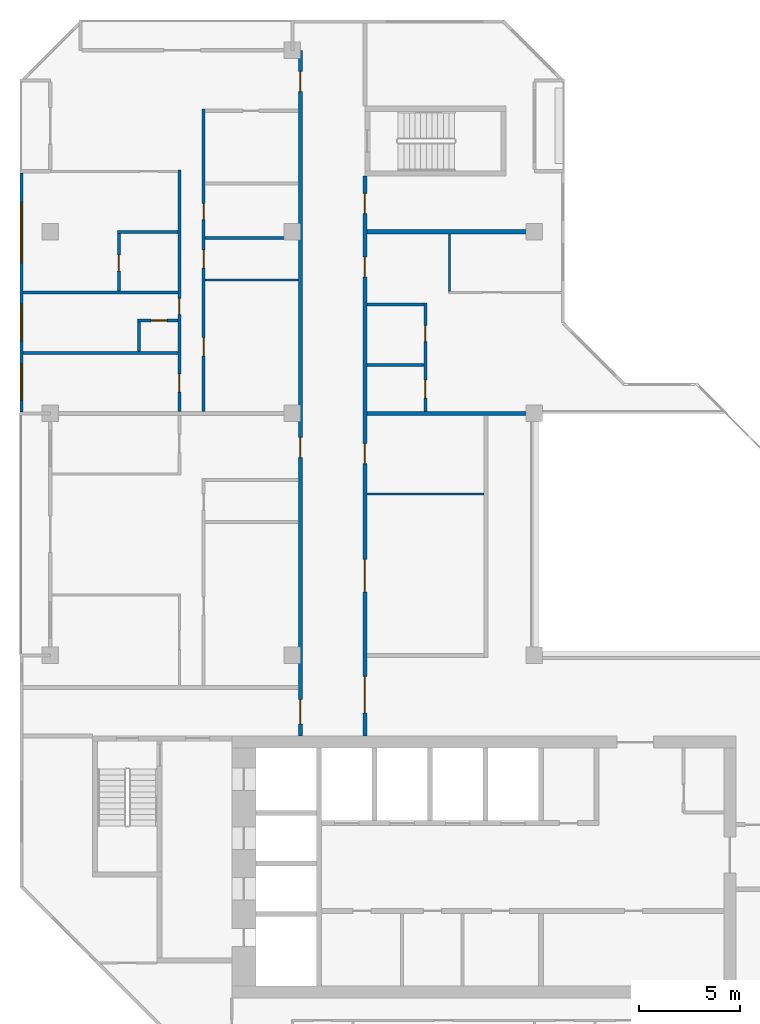
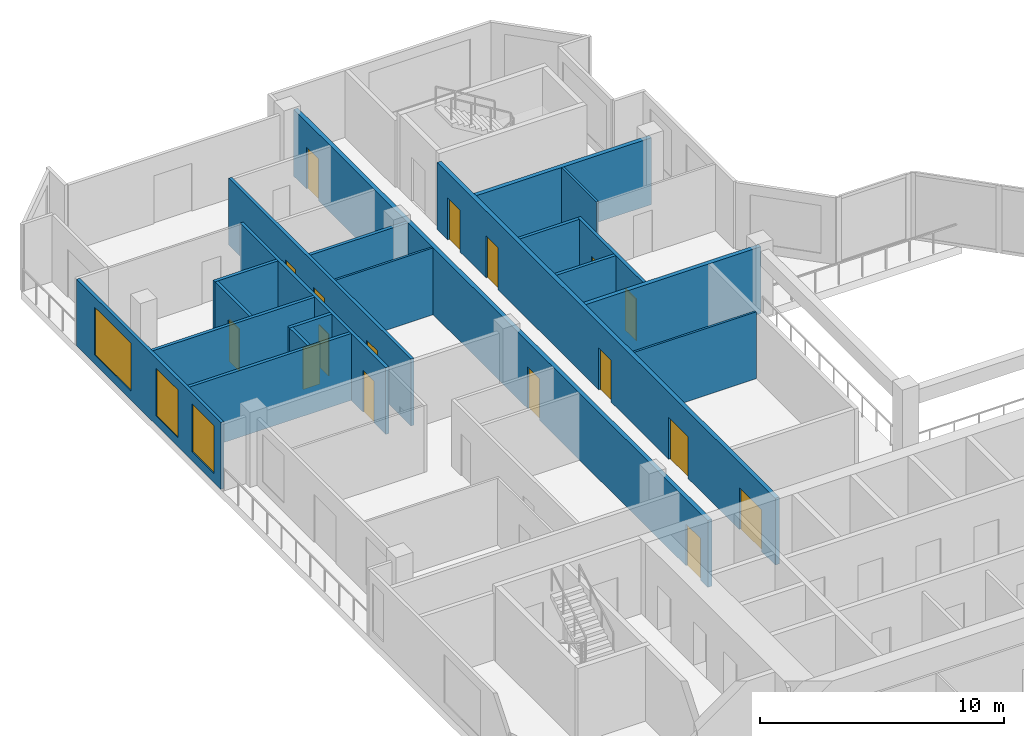
# One storey, part 9 of 13: 20 walls, 17 doors, 3 windows, 20 openings.
"""IFC4 building model written with IfcOpenShell, lengths in metres."""

import ifcopenshell
import ifcopenshell.guid

model = None  # the IFC model being written
_history = None  # IfcOwnerHistory: only IFC2X3 demands one
_inside = {}  # id of a spatial element -> (the spatial element, [elements in it])
_under = {}  # id of a project, library or spatial element -> (it, [spatial elements below it])
_declared = {}  # id of a project -> (the project, [libraries it declares])
_typed = {}  # id of a type object -> (the type object, [elements of that type])
_made_of = {}  # id of a material, layer set ... -> (it, [elements and type objects made of it])


def new_model(schema):
    """Start an empty IFC model of exactly this schema.

    Asked for "IFC4X3", IfcOpenShell would pick the latest addendum, in which some entities
    have other attributes; the version numbers below select the first issue.
    IFC2X3 requires an IfcOwnerHistory on every rooted entity: one is made here for all.
    """
    global model, _history
    if schema == "IFC4X3":
        model = ifcopenshell.file(schema_version=(4, 3, 0, 0))
    else:
        model = ifcopenshell.file(schema=schema)
    _inside.clear()
    _under.clear()
    _declared.clear()
    _typed.clear()
    _made_of.clear()
    _history = None
    if model.schema == "IFC2X3":
        org = make("IfcOrganization", Name="unknown")
        user = make(
            "IfcPersonAndOrganization",
            ThePerson=make("IfcPerson", FamilyName="unknown"),
            TheOrganization=org,
        )
        app = make(
            "IfcApplication",
            ApplicationDeveloper=org,
            Version="unknown",
            ApplicationFullName="unknown",
            ApplicationIdentifier="unknown",
        )
        _history = make(
            "IfcOwnerHistory",
            OwningUser=user,
            OwningApplication=app,
            ChangeAction="ADDED",
            CreationDate=0,
        )
    return model


def make(cls, **values):
    """One entity of the class cls with the attributes given. An attribute that is None is left unset."""
    return model.create_entity(
        cls, **{name: value for name, value in values.items() if value is not None}
    )


def rooted(cls, **values):
    """An entity with a GlobalId (a new one), such as an element, a storey or a relation."""
    return make(cls, GlobalId=ifcopenshell.guid.new(), OwnerHistory=_history, **values)


def si_unit(unit_type, name, prefix=None):
    """IfcSIUnit, for example si_unit("LENGTHUNIT", "METRE", prefix="MILLI")."""
    return make("IfcSIUnit", UnitType=unit_type, Prefix=prefix, Name=name)


def assignment(units):
    """IfcUnitAssignment: the units of a project."""
    return None if units is None else make("IfcUnitAssignment", Units=units)


def point(xyz):
    """IfcCartesianPoint."""
    return None if xyz is None else make("IfcCartesianPoint", Coordinates=xyz)


def direction(xyz):
    """IfcDirection."""
    return None if xyz is None else make("IfcDirection", DirectionRatios=xyz)


def frame(location, z_axis=None, x_axis=None):
    """IfcAxis2Placement3D, a coordinate frame: its origin and axes. An axis left out is left unset."""
    return make(
        "IfcAxis2Placement3D",
        Location=point(location),
        Axis=direction(z_axis),
        RefDirection=direction(x_axis),
    )


def frame_2d(location, x_axis=None):
    """IfcAxis2Placement2D, a coordinate frame in the plane: its origin and x axis."""
    return make(
        "IfcAxis2Placement2D", Location=point(location), RefDirection=direction(x_axis)
    )


def origin():
    """The frame at (0, 0, 0) with its axes left unset."""
    return frame((0.0, 0.0, 0.0))


def place(relative_to, where):
    """IfcLocalPlacement: puts the frame where relative to a parent placement (None: the world)."""
    return make(
        "IfcLocalPlacement", PlacementRelTo=relative_to, RelativePlacement=where
    )


def context(
    kind, dimensions, precision=None, world=None, true_north=None, identifier=None
):
    """IfcGeometricRepresentationContext, for example the 3D "Model" context."""
    return make(
        "IfcGeometricRepresentationContext",
        ContextIdentifier=identifier,
        ContextType=kind,
        CoordinateSpaceDimension=dimensions,
        Precision=precision,
        WorldCoordinateSystem=world,
        TrueNorth=true_north,
    )


def subcontext(parent, identifier, kind, view, scale=None):
    """IfcGeometricRepresentationSubContext, for example "Body" below "Model"."""
    return make(
        "IfcGeometricRepresentationSubContext",
        ContextIdentifier=identifier,
        ContextType=kind,
        ParentContext=parent,
        TargetScale=scale,
        TargetView=view,
    )


def project(units=None, contexts=None):
    """IfcProject with its units and contexts."""
    return rooted(
        "IfcProject",
        Name="project",
        RepresentationContexts=contexts,
        UnitsInContext=assignment(units),
    )


def spatial(cls, under=None, at=None, **own):
    """A site, building, storey or space (cls), placed at a placement, below another one or the project."""
    s = rooted(cls, ObjectPlacement=at, **own)
    if under is not None:
        _under.setdefault(under.id(), (under, []))[1].append(s)
    return s


def profile(cls, at=None, kind="AREA", **sizes):
    """A parametric profile (cls). Its sizes go by their IFC names, for example OverallWidth=200.0."""
    return make(cls, ProfileType=kind, Position=at, **sizes)


def rectangle(**sizes):
    """IfcRectangleProfileDef."""
    return profile("IfcRectangleProfileDef", **sizes)


def extrude(swept, where, along, depth):
    """IfcExtrudedAreaSolid: the profile swept, set in the frame where, extruded along a direction by depth."""
    return make(
        "IfcExtrudedAreaSolid",
        SweptArea=swept,
        Position=where,
        ExtrudedDirection=direction(along),
        Depth=depth,
    )


def shape(context_of_items, identifier, shape_type, items):
    """IfcShapeRepresentation: the items that make up one representation, for example the "Body"."""
    return make(
        "IfcShapeRepresentation",
        ContextOfItems=context_of_items,
        RepresentationIdentifier=identifier,
        RepresentationType=shape_type,
        Items=items,
    )


def material(Name=None, Category=None):
    """IfcMaterial."""
    return make("IfcMaterial", Name=Name, Category=Category)


def layer(
    of_material, thickness, ventilated=None, Name=None, Category=None, Priority=None
):
    """IfcMaterialLayer: one layer of a wall or slab, of a material (None: an air gap)."""
    return make(
        "IfcMaterialLayer",
        Material=of_material,
        LayerThickness=thickness,
        IsVentilated=ventilated,
        Name=Name,
        Category=Category,
        Priority=Priority,
    )


def layer_set(layers, Name=None):
    """IfcMaterialLayerSet."""
    return make("IfcMaterialLayerSet", MaterialLayers=layers, LayerSetName=Name)


def made_of(thing, what):
    """Note that an element or type object is made of a material, layer set ...; save() writes the relation."""
    if what is not None:
        _made_of.setdefault(what.id(), (what, []))[1].append(thing)
    return thing


def type_object(cls, material=None, **own):
    """A type object (cls), such as IfcWallType, which elements share."""
    return made_of(rooted(cls, **own), material)


def element(
    cls,
    number,
    at=None,
    inside=None,
    cuts=None,
    type_object=None,
    material=None,
    context=None,
    identifier="Body",
    shape_type=None,
    held_by="IfcProductDefinitionShape",
    body=None,
    shapes=None,
    **own,
):
    """One element of the class cls, such as IfcWall. Its Tag is "e" and its number.

    at: its placement. inside: the storey or other place that contains it. cuts: it is an
    opening in that element (IfcRelVoidsElement). A single representation is given by context,
    identifier, shape_type and body (its items); several are given by shapes. held_by: the class
    of the entity that holds the representations. save() writes the other relations.
    """
    e = rooted(cls, Tag="e%d" % number, ObjectPlacement=at, **own)
    if body is not None:
        shapes = [shape(context, identifier, shape_type, body)]
    if shapes is not None:
        e.Representation = make(held_by, Representations=shapes)
    if inside is not None:
        _inside.setdefault(inside.id(), (inside, []))[1].append(e)
    if cuts is not None:
        rooted(
            "IfcRelVoidsElement", RelatingBuildingElement=cuts, RelatedOpeningElement=e
        )
    if type_object is not None:
        _typed.setdefault(type_object.id(), (type_object, []))[1].append(e)
    return made_of(e, material)


def fill(opening, filler):
    """IfcRelFillsElement: the door or window that sits in an opening."""
    return rooted(
        "IfcRelFillsElement",
        RelatingOpeningElement=opening,
        RelatedBuildingElement=filler,
    )


def aggregate(whole, parts):
    """IfcRelAggregates: a whole, such as a stair, and the parts it consists of."""
    return rooted("IfcRelAggregates", RelatingObject=whole, RelatedObjects=parts)


def save(model, path):
    """Write the relations noted so far, then the file.

    IfcRelAggregates (storeys below a building ...), IfcRelContainedInSpatialStructure (elements
    in a storey), IfcRelDefinesByType, IfcRelAssociatesMaterial and IfcRelDeclares: one each for
    every whole, place, type object, material and project.
    """
    for whole, parts in _under.values():
        aggregate(whole, parts)
    for where, things in _inside.values():
        rooted(
            "IfcRelContainedInSpatialStructure",
            RelatedElements=things,
            RelatingStructure=where,
        )
    for kind, things in _typed.values():
        rooted("IfcRelDefinesByType", RelatedObjects=things, RelatingType=kind)
    for what, things in _made_of.values():
        rooted("IfcRelAssociatesMaterial", RelatedObjects=things, RelatingMaterial=what)
    for by, libraries in _declared.values():
        rooted("IfcRelDeclares", RelatingContext=by, RelatedDefinitions=libraries)
    model.write(path)


model = new_model("IFC4")

# Units and contexts
model_context = context("Model", 3, precision=1e-05, world=origin(), true_north=direction((0.0, 1.0)))
body_context = subcontext(model_context, "Body", "Model", "MODEL_VIEW")
ifc_project = project(units=[si_unit("LENGTHUNIT", "METRE"), si_unit("AREAUNIT", "SQUARE_METRE"), si_unit("VOLUMEUNIT", "CUBIC_METRE"), si_unit("PLANEANGLEUNIT", "RADIAN"), si_unit("MASSUNIT", "GRAM", prefix="KILO")], contexts=[model_context])

# Site, building, storey
site_placement = place(None, origin())
site = spatial("IfcSite", under=ifc_project, at=site_placement, CompositionType="ELEMENT")
building_placement = place(site_placement, origin())
building = spatial("IfcBuilding", under=site, at=building_placement, Name="Chenar Terraces", CompositionType="ELEMENT")
storey_placement = place(building_placement, frame((0.0, 0.0, 292.14990234375)))
storey = spatial("IfcBuildingStorey", under=building, at=storey_placement, Name="L68", CompositionType="ELEMENT", Elevation=292.14990234375)

# Wall, openings, doors
ifc_material_1 = material(Name="Gypsum board on steel studs with fire boards", Category="steel")
ifc_layer_1 = layer(ifc_material_1, 0.199951171875)
ifc_layer_set_1 = layer_set([ifc_layer_1], Name="Gypsum board on steel studs with fire boards")
wall_type_1 = type_object("IfcWallType", Name="Corridor wall 200", PredefinedType="PARTITIONING", material=ifc_layer_set_1)
wall_1_placement = place(storey_placement, frame((12.39990234375, 20.0, 0.0), z_axis=(0.0, 0.0, 1.0), x_axis=(0.0, 1.0, 0.0)))
wall_1 = element("IfcWall", 1, at=wall_1_placement, inside=storey, type_object=wall_type_1, Name="Partition L68-029", PredefinedType="PARTITIONING", context=body_context, shape_type="SweptSolid", body=[
    extrude(rectangle(XDim=34.0, YDim=0.199951171875, at=frame_2d((17.0, 0.0))), origin(), (0.0, 0.0, 1.0), 3.35009765625),
])
opening_1_placement = place(wall_1_placement, frame((31.949951171875, 0.0, 0.0)))
opening_1 = element("IfcOpeningElement", 2, at=opening_1_placement, cuts=wall_1, Name="Opening DL68-26", PredefinedType="OPENING", context=body_context, shape_type="SweptSolid", body=[
    extrude(rectangle(XDim=1.0, YDim=2.10009765625, at=frame_2d((0.5, 1.050048828125))), frame((0.0, 0.10986328125, 0.0), z_axis=(0.0, -1.0, 0.0), x_axis=(1.0, 0.0, 0.0)), (0.0, 0.0, 1.0), 0.219970703125),
])
opening_2_placement = place(wall_1_placement, frame((0.60009765625, 0.0, 0.0)))
opening_2 = element("IfcOpeningElement", 3, at=opening_2_placement, cuts=wall_1, Name="Opening DL68-32", PredefinedType="OPENING", context=body_context, shape_type="SweptSolid", body=[
    extrude(rectangle(XDim=1.199951171875, YDim=2.10009765625, at=frame_2d((0.60009765625, 1.050048828125))), frame((0.0, 0.10986328125, 0.0), z_axis=(0.0, -1.0, 0.0), x_axis=(1.0, 0.0, 0.0)), (0.0, 0.0, 1.0), 0.219970703125),
])
opening_3_placement = place(wall_1_placement, frame((13.800048828125, 0.0, 0.0)))
opening_3 = element("IfcOpeningElement", 4, at=opening_3_placement, cuts=wall_1, Name="Opening DL68-52", PredefinedType="OPENING", context=body_context, shape_type="SweptSolid", body=[
    extrude(rectangle(XDim=1.0, YDim=2.10009765625, at=frame_2d((0.5, 1.050048828125))), frame((0.0, 0.10986328125, 0.0), z_axis=(0.0, -1.0, 0.0), x_axis=(1.0, 0.0, 0.0)), (0.0, 0.0, 1.0), 0.219970703125),
])
ifc_material_2 = material(Name="Steel-framed fire-resisting door leaf", Category="steel")
door_type_1 = type_object("IfcDoorType", Name="Fire door FD30S 1000 x 2100", OperationType="SINGLE_SWING_LEFT", PredefinedType="DOOR", material=ifc_material_2)
door_1_placement = place(opening_1_placement, origin())
door_1 = element("IfcDoor", 5, at=door_1_placement, inside=storey, type_object=door_type_1, Name="Door DL68-26", OperationType="SINGLE_SWING_RIGHT", OverallHeight=2.10009765625, OverallWidth=1.0, PredefinedType="DOOR", context=body_context, shape_type="SweptSolid", body=[
    extrude(rectangle(XDim=1.0, YDim=2.10009765625, at=frame_2d((0.5, 1.050048828125))), frame((0.0, 0.02490234375, 0.0), z_axis=(0.0, -1.0, 0.0), x_axis=(1.0, 0.0, 0.0)), (0.0, 0.0, 1.0), 0.050048828125),
])
fill(opening_1, door_1)
door_2_placement = place(opening_3_placement, origin())
door_2 = element("IfcDoor", 6, at=door_2_placement, inside=storey, type_object=door_type_1, Name="Door DL68-52", OperationType="SINGLE_SWING_RIGHT", OverallHeight=2.10009765625, OverallWidth=1.0, PredefinedType="DOOR", context=body_context, shape_type="SweptSolid", body=[
    extrude(rectangle(XDim=1.0, YDim=2.10009765625, at=frame_2d((0.5, 1.050048828125))), frame((0.0, 0.02490234375, 0.0), z_axis=(0.0, -1.0, 0.0), x_axis=(1.0, 0.0, 0.0)), (0.0, 0.0, 1.0), 0.050048828125),
])
fill(opening_3, door_2)
ifc_material_3 = material(Name="Steel-framed fire-resisting door leaf", Category="steel")
door_type_2 = type_object("IfcDoorType", Name="Fire door FD30S 1200 x 2100", OperationType="SINGLE_SWING_LEFT", PredefinedType="DOOR", material=ifc_material_3)
door_3_placement = place(opening_2_placement, origin())
door_3 = element("IfcDoor", 7, at=door_3_placement, inside=storey, type_object=door_type_2, Name="Door DL68-32", OperationType="SINGLE_SWING_RIGHT", OverallHeight=2.10009765625, OverallWidth=1.199951171875, PredefinedType="DOOR", context=body_context, shape_type="SweptSolid", body=[
    extrude(rectangle(XDim=1.199951171875, YDim=2.10009765625, at=frame_2d((0.60009765625, 1.050048828125))), frame((0.0, 0.02490234375, 0.0), z_axis=(0.0, -1.0, 0.0), x_axis=(1.0, 0.0, 0.0)), (0.0, 0.0, 1.0), 0.050048828125),
])
fill(opening_2, door_3)

wall_2_placement = place(storey_placement, frame((15.60009765625, 20.0, 0.0), z_axis=(0.0, 0.0, 1.0), x_axis=(0.0, 1.0, 0.0)))
wall_2 = element("IfcWall", 8, at=wall_2_placement, inside=storey, type_object=wall_type_1, Name="Partition L68-031", PredefinedType="PARTITIONING", context=body_context, shape_type="SweptSolid", body=[
    extrude(rectangle(XDim=27.77490234375, YDim=0.199951171875, at=frame_2d((13.887451171875, 0.0))), origin(), (0.0, 0.0, 1.0), 3.35009765625),
])
opening_4_placement = place(wall_2_placement, frame((7.14990234375, 0.0, 0.0)))
opening_4 = element("IfcOpeningElement", 9, at=opening_4_placement, cuts=wall_2, Name="Opening DL68-1", PredefinedType="OPENING", context=body_context, shape_type="SweptSolid", body=[
    extrude(rectangle(XDim=1.60009765625, YDim=2.10009765625, at=frame_2d((0.800048828125, 1.050048828125))), frame((0.0, 0.10986328125, 0.0), z_axis=(0.0, -1.0, 0.0), x_axis=(1.0, 0.0, 0.0)), (0.0, 0.0, 1.0), 0.219970703125),
])
opening_5_placement = place(wall_2_placement, frame((13.5, 0.0, 0.0)))
opening_5 = element("IfcOpeningElement", 10, at=opening_5_placement, cuts=wall_2, Name="Opening DL68-2", PredefinedType="OPENING", context=body_context, shape_type="SweptSolid", body=[
    extrude(rectangle(XDim=1.0, YDim=2.10009765625, at=frame_2d((0.5, 1.050048828125))), frame((0.0, 0.10986328125, 0.0), z_axis=(0.0, -1.0, 0.0), x_axis=(1.0, 0.0, 0.0)), (0.0, 0.0, 1.0), 0.219970703125),
])
opening_6_placement = place(wall_2_placement, frame((22.75, 0.0, 0.0)))
opening_6 = element("IfcOpeningElement", 11, at=opening_6_placement, cuts=wall_2, Name="Opening DL68-19", PredefinedType="OPENING", context=body_context, shape_type="SweptSolid", body=[
    extrude(rectangle(XDim=1.0, YDim=2.10009765625, at=frame_2d((0.5, 1.050048828125))), frame((0.0, 0.10986328125, 0.0), z_axis=(0.0, -1.0, 0.0), x_axis=(1.0, 0.0, 0.0)), (0.0, 0.0, 1.0), 0.219970703125),
])
opening_7_placement = place(wall_2_placement, frame((1.14990234375, 0.0, 0.0)))
opening_7 = element("IfcOpeningElement", 12, at=opening_7_placement, cuts=wall_2, Name="Opening DL68-31", PredefinedType="OPENING", context=body_context, shape_type="SweptSolid", body=[
    extrude(rectangle(XDim=1.800048828125, YDim=2.10009765625, at=frame_2d((0.89990234375, 1.050048828125))), frame((0.0, 0.10986328125, 0.0), z_axis=(0.0, -1.0, 0.0), x_axis=(1.0, 0.0, 0.0)), (0.0, 0.0, 1.0), 0.219970703125),
])
opening_8_placement = place(wall_2_placement, frame((25.89990234375, 0.0, 0.0)))
opening_8 = element("IfcOpeningElement", 13, at=opening_8_placement, cuts=wall_2, Name="Opening DL68-34", PredefinedType="OPENING", context=body_context, shape_type="SweptSolid", body=[
    extrude(rectangle(XDim=1.0, YDim=2.10009765625, at=frame_2d((0.5, 1.050048828125))), frame((0.0, 0.10986328125, 0.0), z_axis=(0.0, -1.0, 0.0), x_axis=(1.0, 0.0, 0.0)), (0.0, 0.0, 1.0), 0.219970703125),
])
ifc_material_4 = material(Name="Steel-framed fire-resisting door leaf", Category="steel")
door_type_3 = type_object("IfcDoorType", Name="Fire door FD60 1000 x 2100", OperationType="SINGLE_SWING_LEFT", PredefinedType="DOOR", material=ifc_material_4)
door_4_placement = place(opening_5_placement, frame((1.0, 0.0, 0.0), z_axis=(0.0, 0.0, 1.0), x_axis=(-1.0, 0.0, 0.0)))
door_4 = element("IfcDoor", 14, at=door_4_placement, inside=storey, type_object=door_type_3, Name="Door DL68-2", OperationType="SINGLE_SWING_LEFT", OverallHeight=2.10009765625, OverallWidth=1.0, PredefinedType="DOOR", context=body_context, shape_type="SweptSolid", body=[
    extrude(rectangle(XDim=1.0, YDim=2.10009765625, at=frame_2d((0.5, 1.050048828125))), frame((0.0, 0.02490234375, 0.0), z_axis=(0.0, -1.0, 0.0), x_axis=(1.0, 0.0, 0.0)), (0.0, 0.0, 1.0), 0.050048828125),
])
fill(opening_5, door_4)
door_5_placement = place(opening_6_placement, frame((1.0, 0.0, 0.0), z_axis=(0.0, 0.0, 1.0), x_axis=(-1.0, 0.0, 0.0)))
door_5 = element("IfcDoor", 15, at=door_5_placement, inside=storey, type_object=door_type_3, Name="Door DL68-19", OperationType="SINGLE_SWING_LEFT", OverallHeight=2.10009765625, OverallWidth=1.0, PredefinedType="DOOR", context=body_context, shape_type="SweptSolid", body=[
    extrude(rectangle(XDim=1.0, YDim=2.10009765625, at=frame_2d((0.5, 1.050048828125))), frame((0.0, 0.02490234375, 0.0), z_axis=(0.0, -1.0, 0.0), x_axis=(1.0, 0.0, 0.0)), (0.0, 0.0, 1.0), 0.050048828125),
])
fill(opening_6, door_5)
door_6_placement = place(opening_8_placement, frame((1.0, 0.0, 0.0), z_axis=(0.0, 0.0, 1.0), x_axis=(-1.0, 0.0, 0.0)))
door_6 = element("IfcDoor", 16, at=door_6_placement, inside=storey, type_object=door_type_3, Name="Door DL68-34", OperationType="SINGLE_SWING_RIGHT", OverallHeight=2.10009765625, OverallWidth=1.0, PredefinedType="DOOR", context=body_context, shape_type="SweptSolid", body=[
    extrude(rectangle(XDim=1.0, YDim=2.10009765625, at=frame_2d((0.5, 1.050048828125))), frame((0.0, 0.02490234375, 0.0), z_axis=(0.0, -1.0, 0.0), x_axis=(1.0, 0.0, 0.0)), (0.0, 0.0, 1.0), 0.050048828125),
])
fill(opening_8, door_6)
ifc_material_5 = material(Name="Steel-framed fire-resisting door leaf", Category="steel")
door_type_4 = type_object("IfcDoorType", Name="Fire double door FD60 1600 x 2100", OperationType="DOUBLE_DOOR_SINGLE_SWING", PredefinedType="DOOR", material=ifc_material_5)
door_7_placement = place(opening_4_placement, frame((1.60009765625, 0.0, 0.0), z_axis=(0.0, 0.0, 1.0), x_axis=(-1.0, 0.0, 0.0)))
door_7 = element("IfcDoor", 17, at=door_7_placement, inside=storey, type_object=door_type_4, Name="Door DL68-1", OperationType="DOUBLE_DOOR_SINGLE_SWING", OverallHeight=2.10009765625, OverallWidth=1.60009765625, PredefinedType="DOOR", context=body_context, shape_type="SweptSolid", body=[
    extrude(rectangle(XDim=1.60009765625, YDim=2.10009765625, at=frame_2d((0.800048828125, 1.050048828125))), frame((0.0, 0.02490234375, 0.0), z_axis=(0.0, -1.0, 0.0), x_axis=(1.0, 0.0, 0.0)), (0.0, 0.0, 1.0), 0.050048828125),
])
fill(opening_4, door_7)
ifc_material_6 = material(Name="Steel-framed fire-resisting door leaf", Category="steel")
door_type_5 = type_object("IfcDoorType", Name="Fire double door FD60 1800 x 2100", OperationType="DOUBLE_DOOR_SINGLE_SWING", PredefinedType="DOOR", material=ifc_material_6)
door_8_placement = place(opening_7_placement, frame((1.800048828125, 0.0, 0.0), z_axis=(0.0, 0.0, 1.0), x_axis=(-1.0, 0.0, 0.0)))
door_8 = element("IfcDoor", 18, at=door_8_placement, inside=storey, type_object=door_type_5, Name="Door DL68-31", OperationType="DOUBLE_DOOR_SINGLE_SWING", OverallHeight=2.10009765625, OverallWidth=1.800048828125, PredefinedType="DOOR", context=body_context, shape_type="SweptSolid", body=[
    extrude(rectangle(XDim=1.800048828125, YDim=2.10009765625, at=frame_2d((0.89990234375, 1.050048828125))), frame((0.0, 0.02490234375, 0.0), z_axis=(0.0, -1.0, 0.0), x_axis=(1.0, 0.0, 0.0)), (0.0, 0.0, 1.0), 0.050048828125),
])
fill(opening_7, door_8)

# Wall, openings, windows
ifc_material_7 = material(Name="Aluminium framed glazing", Category="aluminium")
ifc_layer_2 = layer(ifc_material_7, 0.14990234375)
ifc_layer_set_2 = layer_set([ifc_layer_2], Name="Aluminium framed glazing")
wall_type_2 = type_object("IfcWallType", Name="Glazed flush facade wall 150", PredefinedType="SOLIDWALL", material=ifc_layer_set_2)
wall_3_placement = place(storey_placement, frame((-1.425048828125, 47.925048828125, 0.0), z_axis=(0.0, 0.0, 1.0), x_axis=(0.0, -1.0, 0.0)))
wall_3 = element("IfcWall", 19, at=wall_3_placement, inside=storey, type_object=wall_type_2, Name="Glazed flush facade wall", PredefinedType="SOLIDWALL", context=body_context, shape_type="SweptSolid", body=[
    extrude(rectangle(XDim=11.85009765625, YDim=0.14990234375, at=frame_2d((5.925048828125, 0.0))), origin(), (0.0, 0.0, 1.0), 3.35009765625),
])
opening_9_placement = place(wall_3_placement, frame((1.46240234375, 0.0, 0.449951171875)))
opening_9 = element("IfcOpeningElement", 20, at=opening_9_placement, cuts=wall_3, Name="Opening W300x240", PredefinedType="OPENING", context=body_context, shape_type="SweptSolid", body=[
    extrude(rectangle(XDim=3.0, YDim=2.39990234375, at=frame_2d((1.5, 1.199951171875))), frame((0.0, 0.0849609375, 0.0), z_axis=(0.0, -1.0, 0.0), x_axis=(1.0, 0.0, 0.0)), (0.0, 0.0, 1.0), 0.169921875),
])
opening_10_placement = place(wall_3_placement, frame((6.52490234375, 0.0, 0.449951171875)))
opening_10 = element("IfcOpeningElement", 21, at=opening_10_placement, cuts=wall_3, Name="Opening W180x240", PredefinedType="OPENING", context=body_context, shape_type="SweptSolid", body=[
    extrude(rectangle(XDim=1.800048828125, YDim=2.39990234375, at=frame_2d((0.89990234375, 1.199951171875))), frame((0.0, 0.0849609375, 0.0), z_axis=(0.0, -1.0, 0.0), x_axis=(1.0, 0.0, 0.0)), (0.0, 0.0, 1.0), 0.169921875),
])
opening_11_placement = place(wall_3_placement, frame((9.487548828125, 0.0, 0.449951171875)))
opening_11 = element("IfcOpeningElement", 22, at=opening_11_placement, cuts=wall_3, Name="Opening W180x240", PredefinedType="OPENING", context=body_context, shape_type="SweptSolid", body=[
    extrude(rectangle(XDim=1.800048828125, YDim=2.39990234375, at=frame_2d((0.89990234375, 1.199951171875))), frame((0.0, 0.0849609375, 0.0), z_axis=(0.0, -1.0, 0.0), x_axis=(1.0, 0.0, 0.0)), (0.0, 0.0, 1.0), 0.169921875),
])
ifc_material_8 = material(Name="Low emissivity double glazing, aluminium frame", Category="aluminium")
window_type_1 = type_object("IfcWindowType", Name="Fixed light 1800 x 2400", PartitioningType="SINGLE_PANEL", PredefinedType="WINDOW", material=ifc_material_8)
window_1_placement = place(opening_10_placement, origin())
window_1 = element("IfcWindow", 23, at=window_1_placement, inside=storey, type_object=window_type_1, Name="Window", OverallHeight=2.39990234375, OverallWidth=1.800048828125, PartitioningType="SINGLE_PANEL", PredefinedType="WINDOW", context=body_context, shape_type="SweptSolid", body=[
    extrude(rectangle(XDim=1.800048828125, YDim=2.39990234375, at=frame_2d((0.89990234375, 1.199951171875))), frame((0.0, 0.030029296875, 0.0), z_axis=(0.0, -1.0, 0.0), x_axis=(1.0, 0.0, 0.0)), (0.0, 0.0, 1.0), 0.06005859375),
])
fill(opening_10, window_1)
window_2_placement = place(opening_11_placement, origin())
window_2 = element("IfcWindow", 24, at=window_2_placement, inside=storey, type_object=window_type_1, Name="Window", OverallHeight=2.39990234375, OverallWidth=1.800048828125, PartitioningType="SINGLE_PANEL", PredefinedType="WINDOW", context=body_context, shape_type="SweptSolid", body=[
    extrude(rectangle(XDim=1.800048828125, YDim=2.39990234375, at=frame_2d((0.89990234375, 1.199951171875))), frame((0.0, 0.030029296875, 0.0), z_axis=(0.0, -1.0, 0.0), x_axis=(1.0, 0.0, 0.0)), (0.0, 0.0, 1.0), 0.06005859375),
])
fill(opening_11, window_2)
ifc_material_9 = material(Name="Low emissivity double glazing, aluminium frame", Category="aluminium")
window_type_2 = type_object("IfcWindowType", Name="Fixed light 3000 x 2400", PartitioningType="SINGLE_PANEL", PredefinedType="WINDOW", material=ifc_material_9)
window_3_placement = place(opening_9_placement, origin())
window_3 = element("IfcWindow", 25, at=window_3_placement, inside=storey, type_object=window_type_2, Name="Window", OverallHeight=2.39990234375, OverallWidth=3.0, PartitioningType="SINGLE_PANEL", PredefinedType="WINDOW", context=body_context, shape_type="SweptSolid", body=[
    extrude(rectangle(XDim=3.0, YDim=2.39990234375, at=frame_2d((1.5, 1.199951171875))), frame((0.0, 0.030029296875, 0.0), z_axis=(0.0, -1.0, 0.0), x_axis=(1.0, 0.0, 0.0)), (0.0, 0.0, 1.0), 0.06005859375),
])
fill(opening_9, window_3)

# Walls
ifc_material_10 = material(Name="Gypsum board on steel studs", Category="steel")
ifc_layer_3 = layer(ifc_material_10, 0.10009765625)
ifc_layer_set_3 = layer_set([ifc_layer_3], Name="Gypsum board on steel studs")
wall_type_3 = type_object("IfcWallType", Name="Gypsum partition 100", PredefinedType="PARTITIONING", material=ifc_layer_set_3)
wall_4_placement = place(storey_placement, frame((7.675048828125, 42.60009765625, 0.0), z_axis=(0.0, 0.0, 1.0), x_axis=(1.0, 0.0, 0.0)))
element("IfcWall", 26, at=wall_4_placement, inside=storey, type_object=wall_type_3, Name="Partition L68-021", PredefinedType="PARTITIONING", context=body_context, shape_type="SweptSolid", body=[
    extrude(rectangle(XDim=4.625, YDim=0.10009765625, at=frame_2d((2.3125, 0.0))), origin(), (0.0, 0.0, 1.0), 3.35009765625),
])
wall_5_placement = place(storey_placement, frame((15.699951171875, 32.0, 0.0), z_axis=(0.0, 0.0, 1.0), x_axis=(1.0, 0.0, 0.0)))
element("IfcWall", 27, at=wall_5_placement, inside=storey, type_object=wall_type_3, Name="Partition L68-034", PredefinedType="PARTITIONING", context=body_context, shape_type="SweptSolid", body=[
    extrude(rectangle(XDim=5.800048828125, YDim=0.10009765625, at=frame_2d((2.89990234375, 0.0))), origin(), (0.0, 0.0, 1.0), 3.35009765625),
])
wall_6_placement = place(storey_placement, frame((19.800048828125, 42.050048828125, 0.0), z_axis=(0.0, 0.0, 1.0), x_axis=(0.0, 1.0, 0.0)))
element("IfcWall", 28, at=wall_6_placement, inside=storey, type_object=wall_type_3, Name="Partition L68-041", PredefinedType="PARTITIONING", context=body_context, shape_type="SweptSolid", body=[
    extrude(rectangle(XDim=2.849853515625, YDim=0.10009765625, at=frame_2d((1.4248046875, 0.0))), origin(), (0.0, 0.0, 1.0), 3.35009765625),
])
ifc_material_11 = material(Name="Twin gypsum board on steel studs with mineral wool", Category="steel")
ifc_layer_4 = layer(ifc_material_11, 0.199951171875)
ifc_layer_set_4 = layer_set([ifc_layer_4], Name="Twin gypsum board on steel studs with mineral wool")
wall_type_4 = type_object("IfcWallType", Name="Unit demising wall 200", PredefinedType="PARTITIONING", material=ifc_layer_set_4)
for number, where, z_axis, x_axis, name in (
    (29, (15.699951171875, 36.0, 0.0), (0.0, 0.0, 1.0), (1.0, 0.0, 0.0), "Partition L68-035"),
    (30, (15.699951171875, 45.0, 0.0), (0.0, 0.0, 1.0), (1.0, 0.0, 0.0), "Partition L68-038"),
):
    element("IfcWall", number, at=place(storey_placement, frame(where, z_axis=z_axis, x_axis=x_axis)), inside=storey, type_object=wall_type_4, Name=name, PredefinedType="PARTITIONING", context=body_context, shape_type="SweptSolid", body=[
        extrude(rectangle(XDim=8.300048828125, YDim=0.199951171875, at=frame_2d((4.14990234375, 0.0))), origin(), (0.0, 0.0, 1.0), 3.35009765625),
    ])
ifc_material_12 = material(Name="Moisture-resistant gypsum board on steel studs", Category="steel")
ifc_layer_5 = layer(ifc_material_12, 0.14990234375)
ifc_layer_set_5 = layer_set([ifc_layer_5], Name="Moisture-resistant gypsum board on steel studs")
wall_type_5 = type_object("IfcWallType", Name="Wet-room partition 150", PredefinedType="PARTITIONING", material=ifc_layer_set_5)
for number, where, z_axis, x_axis, name in (
    (31, (-1.35107421875, 39.0, 0.0), (0.0, 0.0, 1.0), (1.0, 0.0, 0.0), "Partition L68-001"),
    (32, (-1.35107421875, 42.0, 0.0), (0.0, 0.0, 1.0), (1.0, 0.0, 0.0), "Partition L68-002"),
):
    element("IfcWall", number, at=place(storey_placement, frame(where, z_axis=z_axis, x_axis=x_axis)), inside=storey, type_object=wall_type_5, Name=name, PredefinedType="PARTITIONING", context=body_context, shape_type="SweptSolid", body=[
        extrude(rectangle(XDim=7.676025390625, YDim=0.14990234375, at=frame_2d((3.837890625, 0.0))), origin(), (0.0, 0.0, 1.0), 3.35009765625),
    ])
wall_7_placement = place(storey_placement, frame((3.324951171875, 45.0, 0.0), z_axis=(0.0, 0.0, 1.0), x_axis=(1.0, 0.0, 0.0)))
element("IfcWall", 33, at=wall_7_placement, inside=storey, type_object=wall_type_5, Name="Partition L68-010", PredefinedType="PARTITIONING", context=body_context, shape_type="SweptSolid", body=[
    extrude(rectangle(XDim=3.0, YDim=0.14990234375, at=frame_2d((1.5, 0.0))), origin(), (0.0, 0.0, 1.0), 3.35009765625),
])

# Wall, opening, door
wall_8_placement = place(storey_placement, frame((3.39990234375, 42.074951171875, 0.0), z_axis=(0.0, 0.0, 1.0), x_axis=(0.0, 1.0, 0.0)))
wall_8 = element("IfcWall", 34, at=wall_8_placement, inside=storey, type_object=wall_type_5, Name="Partition L68-011", PredefinedType="PARTITIONING", context=body_context, shape_type="SweptSolid", body=[
    extrude(rectangle(XDim=2.85009765625, YDim=0.14990234375, at=frame_2d((1.425048828125, 0.0))), origin(), (0.0, 0.0, 1.0), 3.35009765625),
])
opening_12_placement = place(wall_8_placement, frame((0.97509765625, 0.0, 0.0)))
opening_12 = element("IfcOpeningElement", 35, at=opening_12_placement, cuts=wall_8, Name="Opening DL68-23", PredefinedType="OPENING", context=body_context, shape_type="SweptSolid", body=[
    extrude(rectangle(XDim=0.800048828125, YDim=2.10009765625, at=frame_2d((0.39990234375, 1.050048828125))), frame((0.0, 0.0849609375, 0.0), z_axis=(0.0, -1.0, 0.0), x_axis=(1.0, 0.0, 0.0)), (0.0, 0.0, 1.0), 0.169921875),
])
ifc_material_13 = material(Name="Veneered timber door leaf", Category="wood")
door_type_6 = type_object("IfcDoorType", Name="Door 800 x 2100", OperationType="SINGLE_SWING_LEFT", PredefinedType="DOOR", material=ifc_material_13)
door_9_placement = place(opening_12_placement, frame((0.800048828125, 0.0, 0.0), z_axis=(0.0, 0.0, 1.0), x_axis=(-1.0, 0.0, 0.0)))
door_9 = element("IfcDoor", 36, at=door_9_placement, inside=storey, type_object=door_type_6, Name="Door DL68-23", OperationType="SINGLE_SWING_RIGHT", OverallHeight=2.10009765625, OverallWidth=0.800048828125, PredefinedType="DOOR", context=body_context, shape_type="SweptSolid", body=[
    extrude(rectangle(XDim=0.800048828125, YDim=2.10009765625, at=frame_2d((0.39990234375, 1.050048828125))), frame((0.0, 0.02490234375, 0.0), z_axis=(0.0, -1.0, 0.0), x_axis=(1.0, 0.0, 0.0)), (0.0, 0.0, 1.0), 0.050048828125),
])
fill(opening_12, door_9)

wall_9_placement = place(storey_placement, frame((4.324951171875, 40.60009765625, 0.0), z_axis=(0.0, 0.0, 1.0), x_axis=(1.0, 0.0, 0.0)))
wall_9 = element("IfcWall", 37, at=wall_9_placement, inside=storey, type_object=wall_type_5, Name="Partition L68-012", PredefinedType="PARTITIONING", context=body_context, shape_type="SweptSolid", body=[
    extrude(rectangle(XDim=2.0, YDim=0.14990234375, at=frame_2d((1.0, 0.0))), origin(), (0.0, 0.0, 1.0), 3.35009765625),
])
opening_13_placement = place(wall_9_placement, frame((0.675048828125, 0.0, 0.0)))
opening_13 = element("IfcOpeningElement", 38, at=opening_13_placement, cuts=wall_9, Name="Opening DL68-28", PredefinedType="OPENING", context=body_context, shape_type="SweptSolid", body=[
    extrude(rectangle(XDim=0.800048828125, YDim=2.10009765625, at=frame_2d((0.39990234375, 1.050048828125))), frame((0.0, 0.0849609375, 0.0), z_axis=(0.0, -1.0, 0.0), x_axis=(1.0, 0.0, 0.0)), (0.0, 0.0, 1.0), 0.169921875),
])
door_10_placement = place(opening_13_placement, frame((0.800048828125, 0.0, 0.0), z_axis=(0.0, 0.0, 1.0), x_axis=(-1.0, 0.0, 0.0)))
door_10 = element("IfcDoor", 39, at=door_10_placement, inside=storey, type_object=door_type_6, Name="Door DL68-28", OperationType="SINGLE_SWING_RIGHT", OverallHeight=2.10009765625, OverallWidth=0.800048828125, PredefinedType="DOOR", context=body_context, shape_type="SweptSolid", body=[
    extrude(rectangle(XDim=0.800048828125, YDim=2.10009765625, at=frame_2d((0.39990234375, 1.050048828125))), frame((0.0, 0.02490234375, 0.0), z_axis=(0.0, -1.0, 0.0), x_axis=(1.0, 0.0, 0.0)), (0.0, 0.0, 1.0), 0.050048828125),
])
fill(opening_13, door_10)

# Wall
wall_10_placement = place(storey_placement, frame((4.39990234375, 39.074951171875, 0.0), z_axis=(0.0, 0.0, 1.0), x_axis=(0.0, 1.0, 0.0)))
element("IfcWall", 40, at=wall_10_placement, inside=storey, type_object=wall_type_5, Name="Partition L68-013", PredefinedType="PARTITIONING", context=body_context, shape_type="SweptSolid", body=[
    extrude(rectangle(XDim=1.449951171875, YDim=0.14990234375, at=frame_2d((0.72509765625, 0.0))), origin(), (0.0, 0.0, 1.0), 3.35009765625),
])

# Wall, openings, doors
wall_11_placement = place(storey_placement, frame((6.39990234375, 36.10009765625, 0.0), z_axis=(0.0, 0.0, 1.0), x_axis=(0.0, 1.0, 0.0)))
wall_11 = element("IfcWall", 41, at=wall_11_placement, inside=storey, type_object=wall_type_5, Name="Partition L68-016", PredefinedType="PARTITIONING", context=body_context, shape_type="SweptSolid", body=[
    extrude(rectangle(XDim=11.949951171875, YDim=0.14990234375, at=frame_2d((5.97509765625, 0.0))), origin(), (0.0, 0.0, 1.0), 3.35009765625),
])
opening_14_placement = place(wall_11_placement, frame((0.949951171875, 0.0, 0.0)))
opening_14 = element("IfcOpeningElement", 42, at=opening_14_placement, cuts=wall_11, Name="Opening DL68-21", PredefinedType="OPENING", context=body_context, shape_type="SweptSolid", body=[
    extrude(rectangle(XDim=0.89990234375, YDim=2.10009765625, at=frame_2d((0.449951171875, 1.050048828125))), frame((0.0, 0.0849609375, 0.0), z_axis=(0.0, -1.0, 0.0), x_axis=(1.0, 0.0, 0.0)), (0.0, 0.0, 1.0), 0.169921875),
])
opening_15_placement = place(wall_11_placement, frame((4.800048828125, 0.0, 0.0)))
opening_15 = element("IfcOpeningElement", 43, at=opening_15_placement, cuts=wall_11, Name="Opening DL68-27", PredefinedType="OPENING", context=body_context, shape_type="SweptSolid", body=[
    extrude(rectangle(XDim=0.800048828125, YDim=2.10009765625, at=frame_2d((0.39990234375, 1.050048828125))), frame((0.0, 0.0849609375, 0.0), z_axis=(0.0, -1.0, 0.0), x_axis=(1.0, 0.0, 0.0)), (0.0, 0.0, 1.0), 0.169921875),
])
door_11_placement = place(opening_15_placement, origin())
door_11 = element("IfcDoor", 44, at=door_11_placement, inside=storey, type_object=door_type_6, Name="Door DL68-27", OperationType="SINGLE_SWING_RIGHT", OverallHeight=2.10009765625, OverallWidth=0.800048828125, PredefinedType="DOOR", context=body_context, shape_type="SweptSolid", body=[
    extrude(rectangle(XDim=0.800048828125, YDim=2.10009765625, at=frame_2d((0.39990234375, 1.050048828125))), frame((0.0, 0.02490234375, 0.0), z_axis=(0.0, -1.0, 0.0), x_axis=(1.0, 0.0, 0.0)), (0.0, 0.0, 1.0), 0.050048828125),
])
fill(opening_15, door_11)
ifc_material_14 = material(Name="Veneered timber door leaf", Category="wood")
door_type_7 = type_object("IfcDoorType", Name="Door 900 x 2100", OperationType="SINGLE_SWING_LEFT", PredefinedType="DOOR", material=ifc_material_14)
door_12_placement = place(opening_14_placement, origin())
door_12 = element("IfcDoor", 45, at=door_12_placement, inside=storey, type_object=door_type_7, Name="Door DL68-21", OperationType="SINGLE_SWING_RIGHT", OverallHeight=2.10009765625, OverallWidth=0.89990234375, PredefinedType="DOOR", context=body_context, shape_type="SweptSolid", body=[
    extrude(rectangle(XDim=0.89990234375, YDim=2.10009765625, at=frame_2d((0.449951171875, 1.050048828125))), frame((0.0, 0.02490234375, 0.0), z_axis=(0.0, -1.0, 0.0), x_axis=(1.0, 0.0, 0.0)), (0.0, 0.0, 1.0), 0.050048828125),
])
fill(opening_14, door_12)

wall_12_placement = place(storey_placement, frame((7.60009765625, 36.10009765625, 0.0), z_axis=(0.0, 0.0, 1.0), x_axis=(0.0, 1.0, 0.0)))
wall_12 = element("IfcWall", 46, at=wall_12_placement, inside=storey, type_object=wall_type_5, Name="Partition L68-018", PredefinedType="PARTITIONING", context=body_context, shape_type="SweptSolid", body=[
    extrude(rectangle(XDim=14.974853515625, YDim=0.14990234375, at=frame_2d((7.4873046875, 0.0))), origin(), (0.0, 0.0, 1.0), 3.35009765625),
])
opening_16_placement = place(wall_12_placement, frame((9.5, 0.0, 0.0)))
opening_16 = element("IfcOpeningElement", 47, at=opening_16_placement, cuts=wall_12, Name="Opening DL68-20", PredefinedType="OPENING", context=body_context, shape_type="SweptSolid", body=[
    extrude(rectangle(XDim=0.800048828125, YDim=2.10009765625, at=frame_2d((0.39990234375, 1.050048828125))), frame((0.0, 0.0849609375, 0.0), z_axis=(0.0, -1.0, 0.0), x_axis=(1.0, 0.0, 0.0)), (0.0, 0.0, 1.0), 0.169921875),
])
opening_17_placement = place(wall_12_placement, frame((2.75, 0.0, 0.0)))
opening_17 = element("IfcOpeningElement", 48, at=opening_17_placement, cuts=wall_12, Name="Opening DL68-24", PredefinedType="OPENING", context=body_context, shape_type="SweptSolid", body=[
    extrude(rectangle(XDim=0.89990234375, YDim=2.10009765625, at=frame_2d((0.449951171875, 1.050048828125))), frame((0.0, 0.0849609375, 0.0), z_axis=(0.0, -1.0, 0.0), x_axis=(1.0, 0.0, 0.0)), (0.0, 0.0, 1.0), 0.169921875),
])
opening_18_placement = place(wall_12_placement, frame((7.10009765625, 0.0, 0.0)))
opening_18 = element("IfcOpeningElement", 49, at=opening_18_placement, cuts=wall_12, Name="Opening DL68-29", PredefinedType="OPENING", context=body_context, shape_type="SweptSolid", body=[
    extrude(rectangle(XDim=0.89990234375, YDim=2.10009765625, at=frame_2d((0.449951171875, 1.050048828125))), frame((0.0, 0.0849609375, 0.0), z_axis=(0.0, -1.0, 0.0), x_axis=(1.0, 0.0, 0.0)), (0.0, 0.0, 1.0), 0.169921875),
])
door_13_placement = place(opening_16_placement, frame((0.800048828125, 0.0, 0.0), z_axis=(0.0, 0.0, 1.0), x_axis=(-1.0, 0.0, 0.0)))
door_13 = element("IfcDoor", 50, at=door_13_placement, inside=storey, type_object=door_type_6, Name="Door DL68-20", OperationType="SINGLE_SWING_RIGHT", OverallHeight=2.10009765625, OverallWidth=0.800048828125, PredefinedType="DOOR", context=body_context, shape_type="SweptSolid", body=[
    extrude(rectangle(XDim=0.800048828125, YDim=2.10009765625, at=frame_2d((0.39990234375, 1.050048828125))), frame((0.0, 0.02490234375, 0.0), z_axis=(0.0, -1.0, 0.0), x_axis=(1.0, 0.0, 0.0)), (0.0, 0.0, 1.0), 0.050048828125),
])
fill(opening_16, door_13)
door_14_placement = place(opening_17_placement, frame((0.89990234375, 0.0, 0.0), z_axis=(0.0, 0.0, 1.0), x_axis=(-1.0, 0.0, 0.0)))
door_14 = element("IfcDoor", 51, at=door_14_placement, inside=storey, type_object=door_type_7, Name="Door DL68-24", OperationType="SINGLE_SWING_LEFT", OverallHeight=2.10009765625, OverallWidth=0.89990234375, PredefinedType="DOOR", context=body_context, shape_type="SweptSolid", body=[
    extrude(rectangle(XDim=0.89990234375, YDim=2.10009765625, at=frame_2d((0.449951171875, 1.050048828125))), frame((0.0, 0.02490234375, 0.0), z_axis=(0.0, -1.0, 0.0), x_axis=(1.0, 0.0, 0.0)), (0.0, 0.0, 1.0), 0.050048828125),
])
fill(opening_17, door_14)
door_15_placement = place(opening_18_placement, frame((0.89990234375, 0.0, 0.0), z_axis=(0.0, 0.0, 1.0), x_axis=(-1.0, 0.0, 0.0)))
door_15 = element("IfcDoor", 52, at=door_15_placement, inside=storey, type_object=door_type_7, Name="Door DL68-29", OperationType="SINGLE_SWING_RIGHT", OverallHeight=2.10009765625, OverallWidth=0.89990234375, PredefinedType="DOOR", context=body_context, shape_type="SweptSolid", body=[
    extrude(rectangle(XDim=0.89990234375, YDim=2.10009765625, at=frame_2d((0.449951171875, 1.050048828125))), frame((0.0, 0.02490234375, 0.0), z_axis=(0.0, -1.0, 0.0), x_axis=(1.0, 0.0, 0.0)), (0.0, 0.0, 1.0), 0.050048828125),
])
fill(opening_18, door_15)

# Walls
wall_13_placement = place(storey_placement, frame((7.675048828125, 44.699951171875, 0.0), z_axis=(0.0, 0.0, 1.0), x_axis=(1.0, 0.0, 0.0)))
element("IfcWall", 53, at=wall_13_placement, inside=storey, type_object=wall_type_5, Name="Partition L68-022", PredefinedType="PARTITIONING", context=body_context, shape_type="SweptSolid", body=[
    extrude(rectangle(XDim=4.625, YDim=0.14990234375, at=frame_2d((2.3125, 0.0))), origin(), (0.0, 0.0, 1.0), 3.35009765625),
])
for number, where, z_axis, x_axis, name in (
    (54, (15.699951171875, 38.39990234375, 0.0), (0.0, 0.0, 1.0), (1.0, 0.0, 0.0), "Partition L68-036"),
    (55, (15.699951171875, 41.39990234375, 0.0), (0.0, 0.0, 1.0), (1.0, 0.0, 0.0), "Partition L68-037"),
):
    element("IfcWall", number, at=place(storey_placement, frame(where, z_axis=z_axis, x_axis=x_axis)), inside=storey, type_object=wall_type_5, Name=name, PredefinedType="PARTITIONING", context=body_context, shape_type="SweptSolid", body=[
        extrude(rectangle(XDim=2.824951171875, YDim=0.14990234375, at=frame_2d((1.41259765625, 0.0))), origin(), (0.0, 0.0, 1.0), 3.35009765625),
    ])

# Wall, openings, doors
wall_14_placement = place(storey_placement, frame((18.60009765625, 36.10009765625, 0.0), z_axis=(0.0, 0.0, 1.0), x_axis=(0.0, 1.0, 0.0)))
wall_14 = element("IfcWall", 56, at=wall_14_placement, inside=storey, type_object=wall_type_5, Name="Partition L68-039", PredefinedType="PARTITIONING", context=body_context, shape_type="SweptSolid", body=[
    extrude(rectangle(XDim=5.375, YDim=0.14990234375, at=frame_2d((2.6875, 0.0))), origin(), (0.0, 0.0, 1.0), 3.35009765625),
])
opening_19_placement = place(wall_14_placement, frame((3.449951171875, 0.0, 0.0)))
opening_19 = element("IfcOpeningElement", 57, at=opening_19_placement, cuts=wall_14, Name="Opening DL68-16", PredefinedType="OPENING", context=body_context, shape_type="SweptSolid", body=[
    extrude(rectangle(XDim=0.800048828125, YDim=2.10009765625, at=frame_2d((0.39990234375, 1.050048828125))), frame((0.0, 0.0849609375, 0.0), z_axis=(0.0, -1.0, 0.0), x_axis=(1.0, 0.0, 0.0)), (0.0, 0.0, 1.0), 0.169921875),
])
opening_20_placement = place(wall_14_placement, frame((0.64990234375, 0.0, 0.0)))
opening_20 = element("IfcOpeningElement", 58, at=opening_20_placement, cuts=wall_14, Name="Opening DL68-18", PredefinedType="OPENING", context=body_context, shape_type="SweptSolid", body=[
    extrude(rectangle(XDim=0.89990234375, YDim=2.10009765625, at=frame_2d((0.449951171875, 1.050048828125))), frame((0.0, 0.0849609375, 0.0), z_axis=(0.0, -1.0, 0.0), x_axis=(1.0, 0.0, 0.0)), (0.0, 0.0, 1.0), 0.169921875),
])
door_16_placement = place(opening_19_placement, origin())
door_16 = element("IfcDoor", 59, at=door_16_placement, inside=storey, type_object=door_type_6, Name="Door DL68-16", OperationType="SINGLE_SWING_RIGHT", OverallHeight=2.10009765625, OverallWidth=0.800048828125, PredefinedType="DOOR", context=body_context, shape_type="SweptSolid", body=[
    extrude(rectangle(XDim=0.800048828125, YDim=2.10009765625, at=frame_2d((0.39990234375, 1.050048828125))), frame((0.0, 0.02490234375, 0.0), z_axis=(0.0, -1.0, 0.0), x_axis=(1.0, 0.0, 0.0)), (0.0, 0.0, 1.0), 0.050048828125),
])
fill(opening_19, door_16)
door_17_placement = place(opening_20_placement, origin())
door_17 = element("IfcDoor", 60, at=door_17_placement, inside=storey, type_object=door_type_7, Name="Door DL68-18", OperationType="SINGLE_SWING_RIGHT", OverallHeight=2.10009765625, OverallWidth=0.89990234375, PredefinedType="DOOR", context=body_context, shape_type="SweptSolid", body=[
    extrude(rectangle(XDim=0.89990234375, YDim=2.10009765625, at=frame_2d((0.449951171875, 1.050048828125))), frame((0.0, 0.02490234375, 0.0), z_axis=(0.0, -1.0, 0.0), x_axis=(1.0, 0.0, 0.0)), (0.0, 0.0, 1.0), 0.050048828125),
])
fill(opening_20, door_17)

save(model, "model.ifc")
